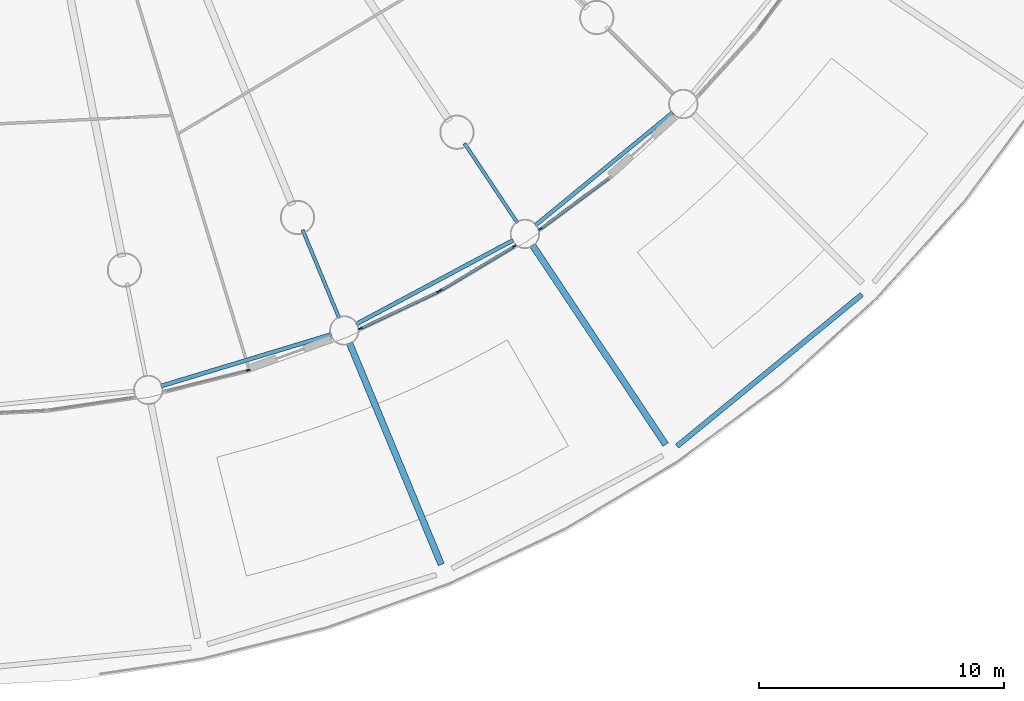
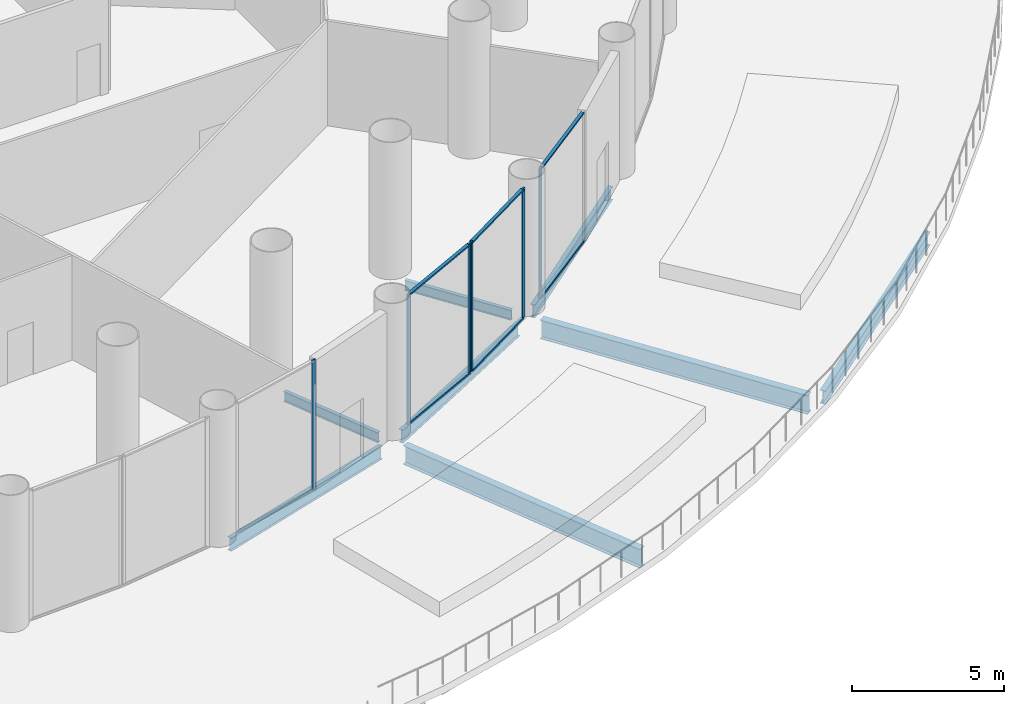
# One storey, part 10 of 36: 12 members, 8 beams, 4 elements without a shape of their own.
"""IFC4 building model written with IfcOpenShell, lengths in metres."""

import ifcopenshell
import ifcopenshell.guid

model = None  # the IFC model being written
_history = None  # IfcOwnerHistory: only IFC2X3 demands one
_inside = {}  # id of a spatial element -> (the spatial element, [elements in it])
_under = {}  # id of a project, library or spatial element -> (it, [spatial elements below it])
_declared = {}  # id of a project -> (the project, [libraries it declares])
_typed = {}  # id of a type object -> (the type object, [elements of that type])
_made_of = {}  # id of a material, layer set ... -> (it, [elements and type objects made of it])


def new_model(schema):
    """Start an empty IFC model of exactly this schema.

    Asked for "IFC4X3", IfcOpenShell would pick the latest addendum, in which some entities
    have other attributes; the version numbers below select the first issue.
    IFC2X3 requires an IfcOwnerHistory on every rooted entity: one is made here for all.
    """
    global model, _history
    if schema == "IFC4X3":
        model = ifcopenshell.file(schema_version=(4, 3, 0, 0))
    else:
        model = ifcopenshell.file(schema=schema)
    _inside.clear()
    _under.clear()
    _declared.clear()
    _typed.clear()
    _made_of.clear()
    _history = None
    if model.schema == "IFC2X3":
        org = make("IfcOrganization", Name="unknown")
        user = make(
            "IfcPersonAndOrganization",
            ThePerson=make("IfcPerson", FamilyName="unknown"),
            TheOrganization=org,
        )
        app = make(
            "IfcApplication",
            ApplicationDeveloper=org,
            Version="unknown",
            ApplicationFullName="unknown",
            ApplicationIdentifier="unknown",
        )
        _history = make(
            "IfcOwnerHistory",
            OwningUser=user,
            OwningApplication=app,
            ChangeAction="ADDED",
            CreationDate=0,
        )
    return model


def make(cls, **values):
    """One entity of the class cls with the attributes given. An attribute that is None is left unset."""
    return model.create_entity(
        cls, **{name: value for name, value in values.items() if value is not None}
    )


def rooted(cls, **values):
    """An entity with a GlobalId (a new one), such as an element, a storey or a relation."""
    return make(cls, GlobalId=ifcopenshell.guid.new(), OwnerHistory=_history, **values)


def si_unit(unit_type, name, prefix=None):
    """IfcSIUnit, for example si_unit("LENGTHUNIT", "METRE", prefix="MILLI")."""
    return make("IfcSIUnit", UnitType=unit_type, Prefix=prefix, Name=name)


def assignment(units):
    """IfcUnitAssignment: the units of a project."""
    return None if units is None else make("IfcUnitAssignment", Units=units)


def point(xyz):
    """IfcCartesianPoint."""
    return None if xyz is None else make("IfcCartesianPoint", Coordinates=xyz)


def direction(xyz):
    """IfcDirection."""
    return None if xyz is None else make("IfcDirection", DirectionRatios=xyz)


def frame(location, z_axis=None, x_axis=None):
    """IfcAxis2Placement3D, a coordinate frame: its origin and axes. An axis left out is left unset."""
    return make(
        "IfcAxis2Placement3D",
        Location=point(location),
        Axis=direction(z_axis),
        RefDirection=direction(x_axis),
    )


def frame_2d(location, x_axis=None):
    """IfcAxis2Placement2D, a coordinate frame in the plane: its origin and x axis."""
    return make(
        "IfcAxis2Placement2D", Location=point(location), RefDirection=direction(x_axis)
    )


def origin():
    """The frame at (0, 0, 0) with its axes left unset."""
    return frame((0.0, 0.0, 0.0))


def origin_2d():
    """The frame at (0, 0) in the plane with its x axis left unset."""
    return frame_2d((0.0, 0.0))


def place(relative_to, where):
    """IfcLocalPlacement: puts the frame where relative to a parent placement (None: the world)."""
    return make(
        "IfcLocalPlacement", PlacementRelTo=relative_to, RelativePlacement=where
    )


def context(
    kind, dimensions, precision=None, world=None, true_north=None, identifier=None
):
    """IfcGeometricRepresentationContext, for example the 3D "Model" context."""
    return make(
        "IfcGeometricRepresentationContext",
        ContextIdentifier=identifier,
        ContextType=kind,
        CoordinateSpaceDimension=dimensions,
        Precision=precision,
        WorldCoordinateSystem=world,
        TrueNorth=true_north,
    )


def subcontext(parent, identifier, kind, view, scale=None):
    """IfcGeometricRepresentationSubContext, for example "Body" below "Model"."""
    return make(
        "IfcGeometricRepresentationSubContext",
        ContextIdentifier=identifier,
        ContextType=kind,
        ParentContext=parent,
        TargetScale=scale,
        TargetView=view,
    )


def project(units=None, contexts=None):
    """IfcProject with its units and contexts."""
    return rooted(
        "IfcProject",
        Name="project",
        RepresentationContexts=contexts,
        UnitsInContext=assignment(units),
    )


def spatial(cls, under=None, at=None, **own):
    """A site, building, storey or space (cls), placed at a placement, below another one or the project."""
    s = rooted(cls, ObjectPlacement=at, **own)
    if under is not None:
        _under.setdefault(under.id(), (under, []))[1].append(s)
    return s


def profile(cls, at=None, kind="AREA", **sizes):
    """A parametric profile (cls). Its sizes go by their IFC names, for example OverallWidth=200.0."""
    return make(cls, ProfileType=kind, Position=at, **sizes)


def rectangle(**sizes):
    """IfcRectangleProfileDef."""
    return profile("IfcRectangleProfileDef", **sizes)


def i_section(**sizes):
    """IfcIShapeProfileDef."""
    return profile("IfcIShapeProfileDef", **sizes)


def extrude(swept, where, along, depth):
    """IfcExtrudedAreaSolid: the profile swept, set in the frame where, extruded along a direction by depth."""
    return make(
        "IfcExtrudedAreaSolid",
        SweptArea=swept,
        Position=where,
        ExtrudedDirection=direction(along),
        Depth=depth,
    )


def shape(context_of_items, identifier, shape_type, items):
    """IfcShapeRepresentation: the items that make up one representation, for example the "Body"."""
    return make(
        "IfcShapeRepresentation",
        ContextOfItems=context_of_items,
        RepresentationIdentifier=identifier,
        RepresentationType=shape_type,
        Items=items,
    )


def material(Name=None, Category=None):
    """IfcMaterial."""
    return make("IfcMaterial", Name=Name, Category=Category)


def material_profile(
    of_material, cross_section, Name=None, Category=None, Priority=None
):
    """IfcMaterialProfile: a cross section and its material."""
    return make(
        "IfcMaterialProfile",
        Name=Name,
        Material=of_material,
        Profile=cross_section,
        Priority=Priority,
        Category=Category,
    )


def profile_set(profiles, Name=None, composite=None):
    """IfcMaterialProfileSet."""
    return make(
        "IfcMaterialProfileSet",
        Name=Name,
        MaterialProfiles=profiles,
        CompositeProfile=composite,
    )


def made_of(thing, what):
    """Note that an element or type object is made of a material, layer set ...; save() writes the relation."""
    if what is not None:
        _made_of.setdefault(what.id(), (what, []))[1].append(thing)
    return thing


def type_object(cls, material=None, **own):
    """A type object (cls), such as IfcWallType, which elements share."""
    return made_of(rooted(cls, **own), material)


def element(
    cls,
    number,
    at=None,
    inside=None,
    cuts=None,
    type_object=None,
    material=None,
    context=None,
    identifier="Body",
    shape_type=None,
    held_by="IfcProductDefinitionShape",
    body=None,
    shapes=None,
    **own,
):
    """One element of the class cls, such as IfcWall. Its Tag is "e" and its number.

    at: its placement. inside: the storey or other place that contains it. cuts: it is an
    opening in that element (IfcRelVoidsElement). A single representation is given by context,
    identifier, shape_type and body (its items); several are given by shapes. held_by: the class
    of the entity that holds the representations. save() writes the other relations.
    """
    e = rooted(cls, Tag="e%d" % number, ObjectPlacement=at, **own)
    if body is not None:
        shapes = [shape(context, identifier, shape_type, body)]
    if shapes is not None:
        e.Representation = make(held_by, Representations=shapes)
    if inside is not None:
        _inside.setdefault(inside.id(), (inside, []))[1].append(e)
    if cuts is not None:
        rooted(
            "IfcRelVoidsElement", RelatingBuildingElement=cuts, RelatedOpeningElement=e
        )
    if type_object is not None:
        _typed.setdefault(type_object.id(), (type_object, []))[1].append(e)
    return made_of(e, material)


def aggregate(whole, parts):
    """IfcRelAggregates: a whole, such as a stair, and the parts it consists of."""
    return rooted("IfcRelAggregates", RelatingObject=whole, RelatedObjects=parts)


def save(model, path):
    """Write the relations noted so far, then the file.

    IfcRelAggregates (storeys below a building ...), IfcRelContainedInSpatialStructure (elements
    in a storey), IfcRelDefinesByType, IfcRelAssociatesMaterial and IfcRelDeclares: one each for
    every whole, place, type object, material and project.
    """
    for whole, parts in _under.values():
        aggregate(whole, parts)
    for where, things in _inside.values():
        rooted(
            "IfcRelContainedInSpatialStructure",
            RelatedElements=things,
            RelatingStructure=where,
        )
    for kind, things in _typed.values():
        rooted("IfcRelDefinesByType", RelatedObjects=things, RelatingType=kind)
    for what, things in _made_of.values():
        rooted("IfcRelAssociatesMaterial", RelatedObjects=things, RelatingMaterial=what)
    for by, libraries in _declared.values():
        rooted("IfcRelDeclares", RelatingContext=by, RelatedDefinitions=libraries)
    model.write(path)


model = new_model("IFC4")

# Units and contexts
model_context = context("Model", 3, precision=1e-05, world=origin(), true_north=direction((0.0, 1.0)))
body_context = subcontext(model_context, "Body", "Model", "MODEL_VIEW")
ifc_project = project(units=[si_unit("LENGTHUNIT", "METRE"), si_unit("AREAUNIT", "SQUARE_METRE"), si_unit("VOLUMEUNIT", "CUBIC_METRE"), si_unit("PLANEANGLEUNIT", "RADIAN"), si_unit("MASSUNIT", "GRAM", prefix="KILO")], contexts=[model_context])

# Site, building, storey
site_placement = place(None, origin())
site = spatial("IfcSite", under=ifc_project, at=site_placement, CompositionType="ELEMENT")
building_placement = place(site_placement, origin())
building = spatial("IfcBuilding", under=site, at=building_placement, Name="Corvane Civic Tower", CompositionType="ELEMENT")
storey_placement = place(building_placement, frame((0.0, 0.0, 6.0)))
storey = spatial("IfcBuildingStorey", under=building, at=storey_placement, Name="L01", CompositionType="ELEMENT", Elevation=6.0)

# Beams
ifc_material_1 = material(Name="Steel ASTM A992 Gr 50", Category="steel")
ifc_material_profile_1 = material_profile(ifc_material_1, i_section(OverallWidth=0.2666015625, OverallDepth=0.7568359375, WebThickness=0.013916015625, FlangeThickness=0.019287109375, at=origin_2d()), Name="W30X108")
ifc_profile_set_1 = profile_set([ifc_material_profile_1], Name="Steel ASTM A992 Gr 50")
beam_type_1 = type_object("IfcBeamType", Name="DECK BEAM W30X108", PredefinedType="BEAM", material=ifc_profile_set_1)
for number, where, z_axis, x_axis, name in (
    (1, (24.0283203125, -35.961181640625, -0.678466796875), (0.555579498385, -0.831463421309, 0.0), (0.831463421309, 0.555579498385, 0.0), "BM-L01-D14"),
    (2, (16.551025390625, -39.957763671875, -0.678466796875), (0.382681094144, -0.923880501031, 0.0), (0.923880501031, 0.382681094144, 0.0), "BM-L01-D15"),
):
    element("IfcBeam", number, at=place(storey_placement, frame(where, z_axis=z_axis, x_axis=x_axis)), inside=storey, type_object=beam_type_1, Name=name, PredefinedType="BEAM", context=body_context, shape_type="SweptSolid", body=[
        extrude(i_section(OverallWidth=0.2666015625, OverallDepth=0.7568359375, WebThickness=0.013916015625, FlangeThickness=0.019287109375, at=origin_2d()), origin(), (0.0, 0.0, 1.0), 9.7998046875),
    ])
ifc_material_2 = material(Name="Steel ASTM A992 Gr 50", Category="steel")
ifc_material_profile_2 = material_profile(ifc_material_2, i_section(OverallWidth=0.165771484375, OverallDepth=0.5283203125, WebThickness=0.009765625, FlangeThickness=0.013671875, at=origin_2d()), Name="W21X50")
ifc_profile_set_2 = profile_set([ifc_material_profile_2], Name="Steel ASTM A992 Gr 50")
beam_type_2 = type_object("IfcBeamType", Name="EDGE BEAM W21X50", PredefinedType="BEAM", material=ifc_profile_set_2)
for number, where, z_axis, x_axis, name in (
    (3, (29.768310546875, -30.542236328125, -0.564208984375), (-0.773007924807, -0.634396365205, 0.0), (0.634396365205, -0.773007924807, 0.0), "BM-L01-E13"),
    (4, (23.23779296875, -35.762939453125, -0.564208984375), (-0.881912894916, -0.471412394598, 0.0), (0.471412394598, -0.881912894916, 0.0), "BM-L01-E14"),
):
    element("IfcBeam", number, at=place(storey_placement, frame(where, z_axis=z_axis, x_axis=x_axis)), inside=storey, type_object=beam_type_2, Name=name, PredefinedType="BEAM", context=body_context, shape_type="SweptSolid", body=[
        extrude(i_section(OverallWidth=0.165771484375, OverallDepth=0.5283203125, WebThickness=0.009765625, FlangeThickness=0.013671875, at=origin_2d()), origin(), (0.0, 0.0, 1.0), 7.270751953125),
    ])
beam_1_placement = place(storey_placement, frame((15.814208984375, -39.609375, -0.564208984375), z_axis=(-0.956938225664, -0.290291633127, 0.0), x_axis=(0.290291633127, -0.956938225664, 0.0)))
element("IfcBeam", 5, at=beam_1_placement, inside=storey, type_object=beam_type_2, Name="BM-L01-E15", PredefinedType="BEAM", context=body_context, shape_type="SweptSolid", body=[
    extrude(i_section(OverallWidth=0.165771484375, OverallDepth=0.5283203125, WebThickness=0.009765625, FlangeThickness=0.013671875, at=origin_2d()), origin(), (0.0, 0.0, 1.0), 7.2705078125),
])
ifc_material_3 = material(Name="Steel ASTM A992 Gr 50", Category="steel")
ifc_material_profile_3 = material_profile(ifc_material_3, i_section(OverallWidth=0.209228515625, OverallDepth=0.533447265625, WebThickness=0.01025390625, FlangeThickness=0.015625, at=origin_2d()), Name="W21X62")
ifc_profile_set_3 = profile_set([ifc_material_profile_3], Name="Steel ASTM A992 Gr 50")
beam_type_3 = type_object("IfcBeamType", Name="EDGE BEAM W21X62", PredefinedType="BEAM", material=ifc_profile_set_3)
beam_2_placement = place(storey_placement, frame((37.489013671875, -37.9814453125, -0.566650390625), z_axis=(-0.773007687357, -0.634396654537, 0.0), x_axis=(0.634396654537, -0.773007687357, 0.0)))
element("IfcBeam", 6, at=beam_2_placement, inside=storey, type_object=beam_type_3, Name="BM-L01-H13", PredefinedType="BEAM", context=body_context, shape_type="SweptSolid", body=[
    extrude(i_section(OverallWidth=0.209228515625, OverallDepth=0.533447265625, WebThickness=0.01025390625, FlangeThickness=0.015625, at=origin_2d()), origin(), (0.0, 0.0, 1.0), 9.768310546875),
])
ifc_material_4 = material(Name="Steel ASTM A992 Gr 50", Category="steel")
ifc_material_profile_4 = material_profile(ifc_material_4, i_section(OverallWidth=0.140380859375, OverallDepth=0.40380859375, WebThickness=0.007080078125, FlangeThickness=0.01123046875, at=origin_2d()), Name="W16X31")
ifc_profile_set_4 = profile_set([ifc_material_profile_4], Name="Steel ASTM A992 Gr 50")
beam_type_4 = type_object("IfcBeamType", Name="FLOOR GIRDER W16X31", PredefinedType="BEAM", material=ifc_profile_set_4)
for number, where, z_axis, x_axis, name in (
    (7, (21.25048828125, -31.8037109375, -0.501953125), (0.555581110199, -0.831462344301, 0.0), (0.831462344301, 0.555581110199, 0.0), "BM-L01-G14b"),
    (8, (14.6376953125, -35.33837890625, -0.501953125), (0.382685369162, -0.923878730261, 0.0), (0.923878730261, 0.382685369162, 0.0), "BM-L01-G15b"),
):
    element("IfcBeam", number, at=place(storey_placement, frame(where, z_axis=z_axis, x_axis=x_axis)), inside=storey, type_object=beam_type_4, Name=name, PredefinedType="BEAM", context=body_context, shape_type="SweptSolid", body=[
        extrude(i_section(OverallWidth=0.140380859375, OverallDepth=0.40380859375, WebThickness=0.007080078125, FlangeThickness=0.01123046875, at=origin_2d()), origin(), (0.0, 0.0, 1.0), 3.89990234375),
    ])

# Curtain wall, member
ifc_material_5 = material(Name="Aluminium and glass", Category="aluminium")
curtain_wall_type = type_object("IfcCurtainWallType", Name="PODIUM-CW-P-RUN", PredefinedType="NOTDEFINED", material=ifc_material_5)
curtain_wall_1_placement = place(storey_placement, origin())
curtain_wall_1 = element("IfcCurtainWall", 9, at=curtain_wall_1_placement, inside=storey, type_object=curtain_wall_type, Name="PODI run L01-drum-13B", PredefinedType="NOTDEFINED")
ifc_material_6 = material(Name="Anodised aluminium bronze", Category="aluminium")
ifc_material_profile_5 = material_profile(ifc_material_6, rectangle(XDim=0.06005859375, YDim=0.159912109375, at=origin_2d()), Name="AL 60x160")
ifc_profile_set_5 = profile_set([ifc_material_profile_5], Name="Anodised aluminium bronze")
member_type_1 = type_object("IfcMemberType", Name="PODIUM-CWP-MULLION-60x160", PredefinedType="MULLION", material=ifc_profile_set_5)
member_1_placement = place(storey_placement, frame((24.35791015625, -35.293701171875, 0.0), z_axis=(0.0, 0.0, 1.0), x_axis=(0.595705104665, -0.803203229747, 0.0)))
member_1 = element("IfcMember", 10, at=member_1_placement, type_object=member_type_1, Name="CW-P mullion 2", PredefinedType="MULLION", context=body_context, shape_type="SweptSolid", body=[
    extrude(rectangle(XDim=0.06005859375, YDim=0.159912109375, at=origin_2d()), origin(), (0.0, 0.0, 1.0), 5.199951171875),
])

# Curtain wall, members
curtain_wall_2_placement = place(storey_placement, origin())
curtain_wall_2 = element("IfcCurtainWall", 11, at=curtain_wall_2_placement, inside=storey, type_object=curtain_wall_type, Name="PODI run L01-drum-14A", PredefinedType="NOTDEFINED")
member_2_placement = place(storey_placement, frame((23.28564453125, -36.010009765625, 0.0), z_axis=(0.0, 0.0, 1.0), x_axis=(0.514117759857, -0.857719609779, 0.0)))
member_2 = element("IfcMember", 12, at=member_2_placement, type_object=member_type_1, Name="CW-P mullion 1", PredefinedType="MULLION", context=body_context, shape_type="SweptSolid", body=[
    extrude(rectangle(XDim=0.06005859375, YDim=0.159912109375, at=origin_2d()), origin(), (0.0, 0.0, 1.0), 5.199951171875),
])
member_3_placement = place(storey_placement, frame((20.2666015625, -37.819580078125, 0.0), z_axis=(0.0, 0.0, 1.0), x_axis=(0.514117759857, -0.857719609779, 0.0)))
member_3 = element("IfcMember", 13, at=member_3_placement, type_object=member_type_1, Name="CW-P mullion 2", PredefinedType="MULLION", context=body_context, shape_type="SweptSolid", body=[
    extrude(rectangle(XDim=0.06005859375, YDim=0.159912109375, at=origin_2d()), origin(), (0.0, 0.0, 1.0), 5.199951171875),
])

curtain_wall_3_placement = place(storey_placement, origin())
curtain_wall_3 = element("IfcCurtainWall", 14, at=curtain_wall_3_placement, inside=storey, type_object=curtain_wall_type, Name="PODI run L01-drum-14B", PredefinedType="NOTDEFINED")
member_4_placement = place(storey_placement, frame((20.186279296875, -37.862548828125, 0.0), z_axis=(0.0, 0.0, 1.0), x_axis=(0.42755312852, -0.903990222454, 0.0)))
member_4 = element("IfcMember", 15, at=member_4_placement, type_object=member_type_1, Name="CW-P mullion 1", PredefinedType="MULLION", context=body_context, shape_type="SweptSolid", body=[
    extrude(rectangle(XDim=0.06005859375, YDim=0.159912109375, at=origin_2d()), origin(), (0.0, 0.0, 1.0), 5.199951171875),
])
member_5_placement = place(storey_placement, frame((17.00439453125, -39.36767578125, 0.0), z_axis=(0.0, 0.0, 1.0), x_axis=(0.42755312852, -0.903990222454, 0.0)))
member_5 = element("IfcMember", 16, at=member_5_placement, type_object=member_type_1, Name="CW-P mullion 2", PredefinedType="MULLION", context=body_context, shape_type="SweptSolid", body=[
    extrude(rectangle(XDim=0.06005859375, YDim=0.159912109375, at=origin_2d()), origin(), (0.0, 0.0, 1.0), 5.199951171875),
])

# Curtain wall, member
curtain_wall_4_placement = place(storey_placement, origin())
curtain_wall_4 = element("IfcCurtainWall", 17, at=curtain_wall_4_placement, inside=storey, type_object=curtain_wall_type, Name="PODI run L01-drum-15B", PredefinedType="NOTDEFINED")
member_6_placement = place(storey_placement, frame((12.411865234375, -41.0732421875, 0.0), z_axis=(0.0, 0.0, 1.0), x_axis=(0.243008852393, -0.970024070659, 0.0)))
member_6 = element("IfcMember", 18, at=member_6_placement, type_object=member_type_1, Name="CW-P mullion 1", PredefinedType="MULLION", context=body_context, shape_type="SweptSolid", body=[
    extrude(rectangle(XDim=0.06005859375, YDim=0.159912109375, at=origin_2d()), origin(), (0.0, 0.0, 1.0), 5.199951171875),
])
aggregate(curtain_wall_4, [member_6])

# Member
ifc_material_7 = material(Name="Anodised aluminium bronze", Category="aluminium")
ifc_material_profile_6 = material_profile(ifc_material_7, rectangle(XDim=0.1201171875, YDim=0.06005859375, at=origin_2d()), Name="AL 120x60")
ifc_profile_set_6 = profile_set([ifc_material_profile_6], Name="Anodised aluminium bronze")
member_type_2 = type_object("IfcMemberType", Name="PODIUM-CWP-TRANSOM-60x120", PredefinedType="USERDEFINED", material=ifc_profile_set_6)
member_7_placement = place(storey_placement, frame((27.160888671875, -33.21484375, 0.030029296875), z_axis=(-0.803189518598, -0.595723591285, 0.0), x_axis=(0.595723591285, -0.803189518598, 0.0)))
member_7 = element("IfcMember", 19, at=member_7_placement, type_object=member_type_2, Name="CW-P transom 1.1", ObjectType="TRANSOM", PredefinedType="USERDEFINED", context=body_context, shape_type="SweptSolid", body=[
    extrude(rectangle(XDim=0.1201171875, YDim=0.06005859375, at=origin_2d()), origin(), (0.0, 0.0, 1.0), 3.459716796875),
])

member_8_placement = place(storey_placement, frame((27.160888671875, -33.21484375, 5.169921875), z_axis=(-0.803189518598, -0.595723591285, 0.0), x_axis=(0.595723591285, -0.803189518598, 0.0)))
member_8 = element("IfcMember", 20, at=member_8_placement, type_object=member_type_2, Name="CW-P transom 1.2", ObjectType="TRANSOM", PredefinedType="USERDEFINED", context=body_context, shape_type="SweptSolid", body=[
    extrude(rectangle(XDim=0.1201171875, YDim=0.06005859375, at=origin_2d()), origin(), (0.0, 0.0, 1.0), 3.459716796875),
])

aggregate(curtain_wall_1, [member_1, member_7, member_8])

member_9_placement = place(storey_placement, frame((23.259765625, -36.025634765625, 0.030029296875), z_axis=(-0.857723234181, -0.514111713099, 0.0), x_axis=(0.514111713099, -0.857723234181, 0.0)))
member_9 = element("IfcMember", 21, at=member_9_placement, type_object=member_type_2, Name="CW-P transom 1.1", ObjectType="TRANSOM", PredefinedType="USERDEFINED", context=body_context, shape_type="SweptSolid", body=[
    extrude(rectangle(XDim=0.1201171875, YDim=0.06005859375, at=origin_2d()), origin(), (0.0, 0.0, 1.0), 3.45947265625),
])

member_10_placement = place(storey_placement, frame((23.259765625, -36.025634765625, 5.169921875), z_axis=(-0.857723234181, -0.514111713099, 0.0), x_axis=(0.514111713099, -0.857723234181, 0.0)))
member_10 = element("IfcMember", 22, at=member_10_placement, type_object=member_type_2, Name="CW-P transom 1.2", ObjectType="TRANSOM", PredefinedType="USERDEFINED", context=body_context, shape_type="SweptSolid", body=[
    extrude(rectangle(XDim=0.1201171875, YDim=0.06005859375, at=origin_2d()), origin(), (0.0, 0.0, 1.0), 3.45947265625),
])

aggregate(curtain_wall_2, [member_2, member_3, member_9, member_10])

member_11_placement = place(storey_placement, frame((20.1591796875, -37.87548828125, 0.030029296875), z_axis=(-0.903993431638, -0.427546343166, 0.0), x_axis=(0.427546343166, -0.903993431638, 0.0)))
member_11 = element("IfcMember", 23, at=member_11_placement, type_object=member_type_2, Name="CW-P transom 1.1", ObjectType="TRANSOM", PredefinedType="USERDEFINED", context=body_context, shape_type="SweptSolid", body=[
    extrude(rectangle(XDim=0.1201171875, YDim=0.06005859375, at=origin_2d()), origin(), (0.0, 0.0, 1.0), 3.4599609375),
])

member_12_placement = place(storey_placement, frame((20.1591796875, -37.87548828125, 5.169921875), z_axis=(-0.903993431638, -0.427546343166, 0.0), x_axis=(0.427546343166, -0.903993431638, 0.0)))
member_12 = element("IfcMember", 24, at=member_12_placement, type_object=member_type_2, Name="CW-P transom 1.2", ObjectType="TRANSOM", PredefinedType="USERDEFINED", context=body_context, shape_type="SweptSolid", body=[
    extrude(rectangle(XDim=0.1201171875, YDim=0.06005859375, at=origin_2d()), origin(), (0.0, 0.0, 1.0), 3.4599609375),
])

aggregate(curtain_wall_3, [member_4, member_5, member_11, member_12])

save(model, "model.ifc")
